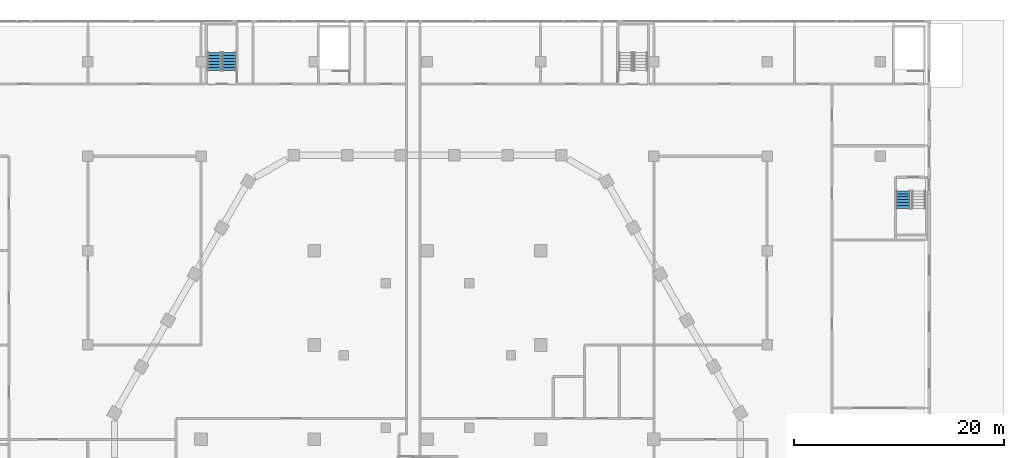
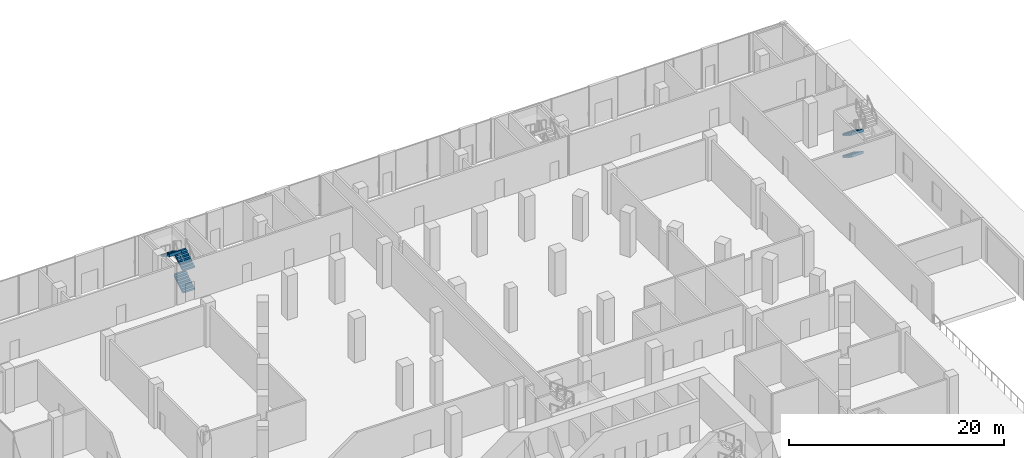
# One storey, part 45 of 57: 5 stair flights, 2 elements without a shape of their own.
"""IFC4 building model written with IfcOpenShell, lengths in metres."""

from ifc_helpers import new_model, si_unit, direction, frame, origin, place, context, subcontext, project, spatial, triangles, material, type_object, element, aggregate, save


model = new_model("IFC4")

# Units and contexts
model_context = context("Model", 3, precision=1e-05, world=origin(), true_north=direction((0.0, 1.0)))
body_context = subcontext(model_context, "Body", "Model", "MODEL_VIEW")
ifc_project = project(units=[si_unit("LENGTHUNIT", "METRE"), si_unit("AREAUNIT", "SQUARE_METRE"), si_unit("VOLUMEUNIT", "CUBIC_METRE"), si_unit("PLANEANGLEUNIT", "RADIAN"), si_unit("MASSUNIT", "GRAM", prefix="KILO")], contexts=[model_context])

# Site, building, storey
site_placement = place(None, origin())
site = spatial("IfcSite", under=ifc_project, at=site_placement, CompositionType="ELEMENT")
building_placement = place(site_placement, origin())
building = spatial("IfcBuilding", under=site, at=building_placement, Name="Beryl Residences", CompositionType="ELEMENT")
storey_placement = place(building_placement, origin())
storey = spatial("IfcBuildingStorey", under=building, at=storey_placement, Name="L00", CompositionType="ELEMENT", Elevation=0.0)

# Stair, stair flights
ifc_material_1 = material(Name="Concrete C40/50", Category="concrete")
stair_type = type_object("IfcStairType", Name="ST1 protected exit stair, half-turn, 1300 mm flights", PredefinedType="HALF_TURN_STAIR", material=ifc_material_1)
stair_1_placement = place(storey_placement, origin())
stair_1 = element("IfcStair", 1, at=stair_1_placement, inside=storey, type_object=stair_type, Name="L00 Podium exit stair 1", PredefinedType="HALF_TURN_STAIR")
ifc_material_2 = material(Name="Concrete C40/50", Category="concrete")
stair_flight_type = type_object("IfcStairFlightType", Name="SF1 stair flight 1300 mm", PredefinedType="STRAIGHT", material=ifc_material_2)
stair_flight_1_placement = place(storey_placement, frame((-18.89990234375, 35.199951171875, 0.0), z_axis=(0.0, 0.0, 1.0), x_axis=(0.0, 1.0, 0.0)))
stair_flight_1 = element("IfcStairFlight", 2, at=stair_flight_1_placement, type_object=stair_flight_type, Name="PS-1 flight 1", NumberOfRisers=7, NumberOfTreads=6, PredefinedType="STRAIGHT", RiserHeight=0.178571429, TreadLength=0.28, context=body_context, shape_type="Tessellation", body=[
    triangles([(0.0, -0.64990234375, 0.0), (0.0, -0.324951171875, 0.0), (0.0, 0.0, 0.0), (0.0, 0.324951171875, 0.0), (0.0, 0.64990234375, 0.0), (0.0, -0.64990234375, 0.178466796875), (0.0, -0.324951171875, 0.178466796875), (0.0, 0.0, 0.178466796875), (0.0, 0.324951171875, 0.178466796875), (0.0, 0.64990234375, 0.178466796875), (0.280029296875, -0.64990234375, 0.178466796875), (0.280029296875, -0.324951171875, 0.178466796875), (0.280029296875, 0.0, 0.178466796875), (0.280029296875, 0.324951171875, 0.178466796875), (0.280029296875, 0.64990234375, 0.178466796875), (0.280029296875, -0.64990234375, 0.357177734375), (0.280029296875, -0.324951171875, 0.357177734375), (0.280029296875, 0.0, 0.357177734375), (0.280029296875, 0.324951171875, 0.357177734375), (0.280029296875, 0.64990234375, 0.357177734375), (0.56005859375, -0.64990234375, 0.357177734375), (0.56005859375, -0.324951171875, 0.357177734375), (0.56005859375, 0.0, 0.357177734375), (0.56005859375, 0.324951171875, 0.357177734375), (0.56005859375, 0.64990234375, 0.357177734375), (0.56005859375, -0.64990234375, 0.53564453125), (0.56005859375, -0.324951171875, 0.53564453125), (0.56005859375, 0.0, 0.53564453125), (0.56005859375, 0.324951171875, 0.53564453125), (0.56005859375, 0.64990234375, 0.53564453125), (0.840087890625, -0.64990234375, 0.53564453125), (0.840087890625, -0.324951171875, 0.53564453125), (0.840087890625, 0.0, 0.53564453125), (0.840087890625, 0.324951171875, 0.53564453125), (0.840087890625, 0.64990234375, 0.53564453125), (0.840087890625, -0.64990234375, 0.71435546875), (0.840087890625, -0.324951171875, 0.71435546875), (0.840087890625, 0.0, 0.71435546875), (0.840087890625, 0.324951171875, 0.71435546875), (0.840087890625, 0.64990234375, 0.71435546875), (1.1201171875, -0.64990234375, 0.71435546875), (1.1201171875, -0.324951171875, 0.71435546875), (1.1201171875, 0.0, 0.71435546875), (1.1201171875, 0.324951171875, 0.71435546875), (1.1201171875, 0.64990234375, 0.71435546875), (1.1201171875, -0.64990234375, 0.892822265625), (1.1201171875, -0.324951171875, 0.892822265625), (1.1201171875, 0.0, 0.892822265625), (1.1201171875, 0.324951171875, 0.892822265625), (1.1201171875, 0.64990234375, 0.892822265625), (1.39990234375, -0.64990234375, 0.892822265625), (1.39990234375, -0.324951171875, 0.892822265625), (1.39990234375, 0.0, 0.892822265625), (1.39990234375, 0.324951171875, 0.892822265625), (1.39990234375, 0.64990234375, 0.892822265625), (1.39990234375, -0.64990234375, 1.071533203125), (1.39990234375, -0.324951171875, 1.071533203125), (1.39990234375, 0.0, 1.071533203125), (1.39990234375, 0.324951171875, 1.071533203125), (1.39990234375, 0.64990234375, 1.071533203125), (1.679931640625, -0.64990234375, 1.071533203125), (1.679931640625, -0.324951171875, 1.071533203125), (1.679931640625, 0.0, 1.071533203125), (1.679931640625, 0.324951171875, 1.071533203125), (1.679931640625, 0.64990234375, 1.071533203125), (1.679931640625, -0.64990234375, 1.25), (1.679931640625, -0.324951171875, 1.25), (1.679931640625, 0.0, 1.25), (1.679931640625, 0.324951171875, 1.25), (1.679931640625, 0.64990234375, 1.25), (1.680908203125, -0.64990234375, 1.25), (1.680908203125, -0.324951171875, 1.25), (1.680908203125, 0.0, 1.25), (1.680908203125, 0.324951171875, 1.25), (1.680908203125, 0.64990234375, 1.25), (1.680908203125, -0.64990234375, 0.928955078125), (1.680908203125, -0.324951171875, 0.928955078125), (1.680908203125, 0.0, 0.928955078125), (1.680908203125, 0.324951171875, 0.928955078125), (1.680908203125, 0.64990234375, 0.928955078125), (0.224365234375, -0.64990234375, 0.0), (0.224365234375, -0.324951171875, 0.0), (0.224365234375, 0.0, 0.0), (0.224365234375, 0.324951171875, 0.0), (0.224365234375, 0.64990234375, 0.0)], [[1, 6, 7], [1, 7, 2], [2, 7, 8], [2, 8, 3], [3, 8, 9], [3, 9, 4], [4, 9, 10], [4, 10, 5], [6, 11, 12], [6, 12, 7], [7, 12, 13], [7, 13, 8], [8, 13, 14], [8, 14, 9], [9, 14, 15], [9, 15, 10], [11, 16, 17], [11, 17, 12], [12, 17, 18], [12, 18, 13], [13, 18, 19], [13, 19, 14], [14, 19, 20], [14, 20, 15], [16, 21, 22], [16, 22, 17], [17, 22, 23], [17, 23, 18], [18, 23, 24], [18, 24, 19], [19, 24, 25], [19, 25, 20], [21, 26, 27], [21, 27, 22], [22, 27, 28], [22, 28, 23], [23, 28, 29], [23, 29, 24], [24, 29, 30], [24, 30, 25], [26, 31, 32], [26, 32, 27], [27, 32, 33], [27, 33, 28], [28, 33, 34], [28, 34, 29], [29, 34, 35], [29, 35, 30], [31, 36, 37], [31, 37, 32], [32, 37, 38], [32, 38, 33], [33, 38, 39], [33, 39, 34], [34, 39, 40], [34, 40, 35], [36, 41, 42], [36, 42, 37], [37, 42, 43], [37, 43, 38], [38, 43, 44], [38, 44, 39], [39, 44, 45], [39, 45, 40], [41, 46, 47], [41, 47, 42], [42, 47, 48], [42, 48, 43], [43, 48, 49], [43, 49, 44], [44, 49, 50], [44, 50, 45], [46, 51, 52], [46, 52, 47], [47, 52, 53], [47, 53, 48], [48, 53, 54], [48, 54, 49], [49, 54, 55], [49, 55, 50], [51, 56, 57], [51, 57, 52], [52, 57, 58], [52, 58, 53], [53, 58, 59], [53, 59, 54], [54, 59, 60], [54, 60, 55], [56, 61, 62], [56, 62, 57], [57, 62, 63], [57, 63, 58], [58, 63, 64], [58, 64, 59], [59, 64, 65], [59, 65, 60], [61, 66, 67], [61, 67, 62], [62, 67, 68], [62, 68, 63], [63, 68, 69], [63, 69, 64], [64, 69, 70], [64, 70, 65], [66, 71, 72], [66, 72, 67], [67, 72, 73], [67, 73, 68], [68, 73, 74], [68, 74, 69], [69, 74, 75], [69, 75, 70], [71, 76, 77], [71, 77, 72], [72, 77, 78], [72, 78, 73], [73, 78, 79], [73, 79, 74], [74, 79, 80], [74, 80, 75], [76, 81, 82], [76, 82, 77], [77, 82, 83], [77, 83, 78], [78, 83, 84], [78, 84, 79], [79, 84, 85], [79, 85, 80], [81, 1, 2], [81, 2, 82], [82, 2, 3], [82, 3, 83], [83, 3, 4], [83, 4, 84], [84, 4, 5], [84, 5, 85], [1, 81, 76], [5, 80, 85], [76, 71, 66], [80, 70, 75], [76, 66, 61], [80, 65, 70], [76, 61, 56], [80, 60, 65], [76, 56, 51], [80, 55, 60], [51, 46, 41], [55, 45, 50], [76, 51, 41], [80, 45, 55], [41, 36, 31], [45, 35, 40], [76, 41, 31], [80, 35, 45], [31, 26, 21], [35, 25, 30], [76, 31, 21], [80, 25, 35], [21, 16, 11], [25, 15, 20], [76, 21, 11], [80, 15, 25], [1, 76, 11], [5, 15, 80], [11, 6, 1], [15, 5, 10]], closed=True),
])
stair_flight_2_placement = place(storey_placement, frame((-18.89990234375, 35.199951171875, 2.5), z_axis=(0.0, 0.0, 1.0), x_axis=(0.0, 1.0, 0.0)))
stair_flight_2 = element("IfcStairFlight", 3, at=stair_flight_2_placement, type_object=stair_flight_type, Name="PS-1 flight 3", NumberOfRisers=7, NumberOfTreads=6, PredefinedType="STRAIGHT", RiserHeight=0.178571429, TreadLength=0.28, context=body_context, shape_type="Tessellation", body=[
    triangles([(0.0, -0.64990234375, 0.0), (0.0, -0.324951171875, 0.0), (0.0, 0.0, 0.0), (0.0, 0.324951171875, 0.0), (0.0, 0.64990234375, 0.0), (0.0, -0.64990234375, 0.178466796875), (0.0, -0.324951171875, 0.178466796875), (0.0, 0.0, 0.178466796875), (0.0, 0.324951171875, 0.178466796875), (0.0, 0.64990234375, 0.178466796875), (0.280029296875, -0.64990234375, 0.178466796875), (0.280029296875, -0.324951171875, 0.178466796875), (0.280029296875, 0.0, 0.178466796875), (0.280029296875, 0.324951171875, 0.178466796875), (0.280029296875, 0.64990234375, 0.178466796875), (0.280029296875, -0.64990234375, 0.357177734375), (0.280029296875, -0.324951171875, 0.357177734375), (0.280029296875, 0.0, 0.357177734375), (0.280029296875, 0.324951171875, 0.357177734375), (0.280029296875, 0.64990234375, 0.357177734375), (0.56005859375, -0.64990234375, 0.357177734375), (0.56005859375, -0.324951171875, 0.357177734375), (0.56005859375, 0.0, 0.357177734375), (0.56005859375, 0.324951171875, 0.357177734375), (0.56005859375, 0.64990234375, 0.357177734375), (0.56005859375, -0.64990234375, 0.53564453125), (0.56005859375, -0.324951171875, 0.53564453125), (0.56005859375, 0.0, 0.53564453125), (0.56005859375, 0.324951171875, 0.53564453125), (0.56005859375, 0.64990234375, 0.53564453125), (0.840087890625, -0.64990234375, 0.53564453125), (0.840087890625, -0.324951171875, 0.53564453125), (0.840087890625, 0.0, 0.53564453125), (0.840087890625, 0.324951171875, 0.53564453125), (0.840087890625, 0.64990234375, 0.53564453125), (0.840087890625, -0.64990234375, 0.71435546875), (0.840087890625, -0.324951171875, 0.71435546875), (0.840087890625, 0.0, 0.71435546875), (0.840087890625, 0.324951171875, 0.71435546875), (0.840087890625, 0.64990234375, 0.71435546875), (1.1201171875, -0.64990234375, 0.71435546875), (1.1201171875, -0.324951171875, 0.71435546875), (1.1201171875, 0.0, 0.71435546875), (1.1201171875, 0.324951171875, 0.71435546875), (1.1201171875, 0.64990234375, 0.71435546875), (1.1201171875, -0.64990234375, 0.892822265625), (1.1201171875, -0.324951171875, 0.892822265625), (1.1201171875, 0.0, 0.892822265625), (1.1201171875, 0.324951171875, 0.892822265625), (1.1201171875, 0.64990234375, 0.892822265625), (1.39990234375, -0.64990234375, 0.892822265625), (1.39990234375, -0.324951171875, 0.892822265625), (1.39990234375, 0.0, 0.892822265625), (1.39990234375, 0.324951171875, 0.892822265625), (1.39990234375, 0.64990234375, 0.892822265625), (1.39990234375, -0.64990234375, 1.071533203125), (1.39990234375, -0.324951171875, 1.071533203125), (1.39990234375, 0.0, 1.071533203125), (1.39990234375, 0.324951171875, 1.071533203125), (1.39990234375, 0.64990234375, 1.071533203125), (1.679931640625, -0.64990234375, 1.071533203125), (1.679931640625, -0.324951171875, 1.071533203125), (1.679931640625, 0.0, 1.071533203125), (1.679931640625, 0.324951171875, 1.071533203125), (1.679931640625, 0.64990234375, 1.071533203125), (1.679931640625, -0.64990234375, 1.25), (1.679931640625, -0.324951171875, 1.25), (1.679931640625, 0.0, 1.25), (1.679931640625, 0.324951171875, 1.25), (1.679931640625, 0.64990234375, 1.25), (1.680908203125, -0.64990234375, 1.25), (1.680908203125, -0.324951171875, 1.25), (1.680908203125, 0.0, 1.25), (1.680908203125, 0.324951171875, 1.25), (1.680908203125, 0.64990234375, 1.25), (1.680908203125, -0.64990234375, 0.928955078125), (1.680908203125, -0.324951171875, 0.928955078125), (1.680908203125, 0.0, 0.928955078125), (1.680908203125, 0.324951171875, 0.928955078125), (1.680908203125, 0.64990234375, 0.928955078125), (0.224365234375, -0.64990234375, 0.0), (0.224365234375, -0.324951171875, 0.0), (0.224365234375, 0.0, 0.0), (0.224365234375, 0.324951171875, 0.0), (0.224365234375, 0.64990234375, 0.0)], [[1, 6, 7], [1, 7, 2], [2, 7, 8], [2, 8, 3], [3, 8, 9], [3, 9, 4], [4, 9, 10], [4, 10, 5], [6, 11, 12], [6, 12, 7], [7, 12, 13], [7, 13, 8], [8, 13, 14], [8, 14, 9], [9, 14, 15], [9, 15, 10], [11, 16, 17], [11, 17, 12], [12, 17, 18], [12, 18, 13], [13, 18, 19], [13, 19, 14], [14, 19, 20], [14, 20, 15], [16, 21, 22], [16, 22, 17], [17, 22, 23], [17, 23, 18], [18, 23, 24], [18, 24, 19], [19, 24, 25], [19, 25, 20], [21, 26, 27], [21, 27, 22], [22, 27, 28], [22, 28, 23], [23, 28, 29], [23, 29, 24], [24, 29, 30], [24, 30, 25], [26, 31, 32], [26, 32, 27], [27, 32, 33], [27, 33, 28], [28, 33, 34], [28, 34, 29], [29, 34, 35], [29, 35, 30], [31, 36, 37], [31, 37, 32], [32, 37, 38], [32, 38, 33], [33, 38, 39], [33, 39, 34], [34, 39, 40], [34, 40, 35], [36, 41, 42], [36, 42, 37], [37, 42, 43], [37, 43, 38], [38, 43, 44], [38, 44, 39], [39, 44, 45], [39, 45, 40], [41, 46, 47], [41, 47, 42], [42, 47, 48], [42, 48, 43], [43, 48, 49], [43, 49, 44], [44, 49, 50], [44, 50, 45], [46, 51, 52], [46, 52, 47], [47, 52, 53], [47, 53, 48], [48, 53, 54], [48, 54, 49], [49, 54, 55], [49, 55, 50], [51, 56, 57], [51, 57, 52], [52, 57, 58], [52, 58, 53], [53, 58, 59], [53, 59, 54], [54, 59, 60], [54, 60, 55], [56, 61, 62], [56, 62, 57], [57, 62, 63], [57, 63, 58], [58, 63, 64], [58, 64, 59], [59, 64, 65], [59, 65, 60], [61, 66, 67], [61, 67, 62], [62, 67, 68], [62, 68, 63], [63, 68, 69], [63, 69, 64], [64, 69, 70], [64, 70, 65], [66, 71, 72], [66, 72, 67], [67, 72, 73], [67, 73, 68], [68, 73, 74], [68, 74, 69], [69, 74, 75], [69, 75, 70], [71, 76, 77], [71, 77, 72], [72, 77, 78], [72, 78, 73], [73, 78, 79], [73, 79, 74], [74, 79, 80], [74, 80, 75], [76, 81, 82], [76, 82, 77], [77, 82, 83], [77, 83, 78], [78, 83, 84], [78, 84, 79], [79, 84, 85], [79, 85, 80], [81, 1, 2], [81, 2, 82], [82, 2, 3], [82, 3, 83], [83, 3, 4], [83, 4, 84], [84, 4, 5], [84, 5, 85], [1, 81, 76], [5, 80, 85], [76, 71, 66], [80, 70, 75], [76, 66, 61], [80, 65, 70], [76, 61, 56], [80, 60, 65], [76, 56, 51], [80, 55, 60], [51, 46, 41], [55, 45, 50], [76, 51, 41], [80, 45, 55], [41, 36, 31], [45, 35, 40], [76, 41, 31], [80, 35, 45], [31, 26, 21], [35, 25, 30], [76, 31, 21], [80, 25, 35], [21, 16, 11], [25, 15, 20], [76, 21, 11], [80, 15, 25], [1, 76, 11], [5, 15, 80], [11, 6, 1], [15, 5, 10]], closed=True),
])
stair_flight_3_placement = place(storey_placement, frame((-20.35009765625, 36.8798828125, 3.75), z_axis=(0.0, 0.0, 1.0), x_axis=(0.0, -1.0, 0.0)))
stair_flight_3 = element("IfcStairFlight", 4, at=stair_flight_3_placement, type_object=stair_flight_type, Name="PS-1 flight 4", NumberOfRisers=7, NumberOfTreads=6, PredefinedType="STRAIGHT", RiserHeight=0.178571429, TreadLength=0.28, context=body_context, shape_type="Tessellation", body=[
    triangles([(0.0, -0.64990234375, 0.0), (0.0, -0.324951171875, 0.0), (0.0, 0.0, 0.0), (0.0, 0.324951171875, 0.0), (0.0, 0.64990234375, 0.0), (0.0, -0.64990234375, 0.178466796875), (0.0, -0.324951171875, 0.178466796875), (0.0, 0.0, 0.178466796875), (0.0, 0.324951171875, 0.178466796875), (0.0, 0.64990234375, 0.178466796875), (0.280029296875, -0.64990234375, 0.178466796875), (0.280029296875, -0.324951171875, 0.178466796875), (0.280029296875, 0.0, 0.178466796875), (0.280029296875, 0.324951171875, 0.178466796875), (0.280029296875, 0.64990234375, 0.178466796875), (0.280029296875, -0.64990234375, 0.357177734375), (0.280029296875, -0.324951171875, 0.357177734375), (0.280029296875, 0.0, 0.357177734375), (0.280029296875, 0.324951171875, 0.357177734375), (0.280029296875, 0.64990234375, 0.357177734375), (0.56005859375, -0.64990234375, 0.357177734375), (0.56005859375, -0.324951171875, 0.357177734375), (0.56005859375, 0.0, 0.357177734375), (0.56005859375, 0.324951171875, 0.357177734375), (0.56005859375, 0.64990234375, 0.357177734375), (0.56005859375, -0.64990234375, 0.53564453125), (0.56005859375, -0.324951171875, 0.53564453125), (0.56005859375, 0.0, 0.53564453125), (0.56005859375, 0.324951171875, 0.53564453125), (0.56005859375, 0.64990234375, 0.53564453125), (0.840087890625, -0.64990234375, 0.53564453125), (0.840087890625, -0.324951171875, 0.53564453125), (0.840087890625, 0.0, 0.53564453125), (0.840087890625, 0.324951171875, 0.53564453125), (0.840087890625, 0.64990234375, 0.53564453125), (0.840087890625, -0.64990234375, 0.71435546875), (0.840087890625, -0.324951171875, 0.71435546875), (0.840087890625, 0.0, 0.71435546875), (0.840087890625, 0.324951171875, 0.71435546875), (0.840087890625, 0.64990234375, 0.71435546875), (1.1201171875, -0.64990234375, 0.71435546875), (1.1201171875, -0.324951171875, 0.71435546875), (1.1201171875, 0.0, 0.71435546875), (1.1201171875, 0.324951171875, 0.71435546875), (1.1201171875, 0.64990234375, 0.71435546875), (1.1201171875, -0.64990234375, 0.892822265625), (1.1201171875, -0.324951171875, 0.892822265625), (1.1201171875, 0.0, 0.892822265625), (1.1201171875, 0.324951171875, 0.892822265625), (1.1201171875, 0.64990234375, 0.892822265625), (1.39990234375, -0.64990234375, 0.892822265625), (1.39990234375, -0.324951171875, 0.892822265625), (1.39990234375, 0.0, 0.892822265625), (1.39990234375, 0.324951171875, 0.892822265625), (1.39990234375, 0.64990234375, 0.892822265625), (1.39990234375, -0.64990234375, 1.071533203125), (1.39990234375, -0.324951171875, 1.071533203125), (1.39990234375, 0.0, 1.071533203125), (1.39990234375, 0.324951171875, 1.071533203125), (1.39990234375, 0.64990234375, 1.071533203125), (1.679931640625, -0.64990234375, 1.071533203125), (1.679931640625, -0.324951171875, 1.071533203125), (1.679931640625, 0.0, 1.071533203125), (1.679931640625, 0.324951171875, 1.071533203125), (1.679931640625, 0.64990234375, 1.071533203125), (1.679931640625, -0.64990234375, 1.25), (1.679931640625, -0.324951171875, 1.25), (1.679931640625, 0.0, 1.25), (1.679931640625, 0.324951171875, 1.25), (1.679931640625, 0.64990234375, 1.25), (1.680908203125, -0.64990234375, 1.25), (1.680908203125, -0.324951171875, 1.25), (1.680908203125, 0.0, 1.25), (1.680908203125, 0.324951171875, 1.25), (1.680908203125, 0.64990234375, 1.25), (1.680908203125, -0.64990234375, 0.928955078125), (1.680908203125, -0.324951171875, 0.928955078125), (1.680908203125, 0.0, 0.928955078125), (1.680908203125, 0.324951171875, 0.928955078125), (1.680908203125, 0.64990234375, 0.928955078125), (0.224365234375, -0.64990234375, 0.0), (0.224365234375, -0.324951171875, 0.0), (0.224365234375, 0.0, 0.0), (0.224365234375, 0.324951171875, 0.0), (0.224365234375, 0.64990234375, 0.0)], [[1, 6, 7], [1, 7, 2], [2, 7, 8], [2, 8, 3], [3, 8, 9], [3, 9, 4], [4, 9, 10], [4, 10, 5], [6, 11, 12], [6, 12, 7], [7, 12, 13], [7, 13, 8], [8, 13, 14], [8, 14, 9], [9, 14, 15], [9, 15, 10], [11, 16, 17], [11, 17, 12], [12, 17, 18], [12, 18, 13], [13, 18, 19], [13, 19, 14], [14, 19, 20], [14, 20, 15], [16, 21, 22], [16, 22, 17], [17, 22, 23], [17, 23, 18], [18, 23, 24], [18, 24, 19], [19, 24, 25], [19, 25, 20], [21, 26, 27], [21, 27, 22], [22, 27, 28], [22, 28, 23], [23, 28, 29], [23, 29, 24], [24, 29, 30], [24, 30, 25], [26, 31, 32], [26, 32, 27], [27, 32, 33], [27, 33, 28], [28, 33, 34], [28, 34, 29], [29, 34, 35], [29, 35, 30], [31, 36, 37], [31, 37, 32], [32, 37, 38], [32, 38, 33], [33, 38, 39], [33, 39, 34], [34, 39, 40], [34, 40, 35], [36, 41, 42], [36, 42, 37], [37, 42, 43], [37, 43, 38], [38, 43, 44], [38, 44, 39], [39, 44, 45], [39, 45, 40], [41, 46, 47], [41, 47, 42], [42, 47, 48], [42, 48, 43], [43, 48, 49], [43, 49, 44], [44, 49, 50], [44, 50, 45], [46, 51, 52], [46, 52, 47], [47, 52, 53], [47, 53, 48], [48, 53, 54], [48, 54, 49], [49, 54, 55], [49, 55, 50], [51, 56, 57], [51, 57, 52], [52, 57, 58], [52, 58, 53], [53, 58, 59], [53, 59, 54], [54, 59, 60], [54, 60, 55], [56, 61, 62], [56, 62, 57], [57, 62, 63], [57, 63, 58], [58, 63, 64], [58, 64, 59], [59, 64, 65], [59, 65, 60], [61, 66, 67], [61, 67, 62], [62, 67, 68], [62, 68, 63], [63, 68, 69], [63, 69, 64], [64, 69, 70], [64, 70, 65], [66, 71, 72], [66, 72, 67], [67, 72, 73], [67, 73, 68], [68, 73, 74], [68, 74, 69], [69, 74, 75], [69, 75, 70], [71, 76, 77], [71, 77, 72], [72, 77, 78], [72, 78, 73], [73, 78, 79], [73, 79, 74], [74, 79, 80], [74, 80, 75], [76, 81, 82], [76, 82, 77], [77, 82, 83], [77, 83, 78], [78, 83, 84], [78, 84, 79], [79, 84, 85], [79, 85, 80], [81, 1, 2], [81, 2, 82], [82, 2, 3], [82, 3, 83], [83, 3, 4], [83, 4, 84], [84, 4, 5], [84, 5, 85], [1, 81, 76], [5, 80, 85], [76, 71, 66], [80, 70, 75], [76, 66, 61], [80, 65, 70], [76, 61, 56], [80, 60, 65], [76, 56, 51], [80, 55, 60], [51, 46, 41], [55, 45, 50], [76, 51, 41], [80, 45, 55], [41, 36, 31], [45, 35, 40], [76, 41, 31], [80, 35, 45], [31, 26, 21], [35, 25, 30], [76, 31, 21], [80, 25, 35], [21, 16, 11], [25, 15, 20], [76, 21, 11], [80, 15, 25], [1, 76, 11], [5, 15, 80], [11, 6, 1], [15, 5, 10]], closed=True),
])
aggregate(stair_1, [stair_flight_1, stair_flight_2, stair_flight_3])

stair_2_placement = place(storey_placement, origin())
stair_2 = element("IfcStair", 5, at=stair_2_placement, inside=storey, type_object=stair_type, Name="L00 Podium exit stair 5", PredefinedType="HALF_TURN_STAIR")
stair_flight_4_placement = place(storey_placement, frame((45.39990234375, 23.699951171875, 0.0), z_axis=(0.0, 0.0, 1.0), x_axis=(0.0, -1.0, 0.0)))
stair_flight_4 = element("IfcStairFlight", 6, at=stair_flight_4_placement, type_object=stair_flight_type, Name="PS-5 flight 1", NumberOfRisers=7, NumberOfTreads=6, PredefinedType="STRAIGHT", RiserHeight=0.178571429, TreadLength=0.28, context=body_context, shape_type="Tessellation", body=[
    triangles([(0.0, -0.64990234375, 0.0), (0.0, -0.324951171875, 0.0), (0.0, 0.0, 0.0), (0.0, 0.324951171875, 0.0), (0.0, 0.64990234375, 0.0), (0.0, -0.64990234375, 0.178466796875), (0.0, -0.324951171875, 0.178466796875), (0.0, 0.0, 0.178466796875), (0.0, 0.324951171875, 0.178466796875), (0.0, 0.64990234375, 0.178466796875), (0.280029296875, -0.64990234375, 0.178466796875), (0.280029296875, -0.324951171875, 0.178466796875), (0.280029296875, 0.0, 0.178466796875), (0.280029296875, 0.324951171875, 0.178466796875), (0.280029296875, 0.64990234375, 0.178466796875), (0.280029296875, -0.64990234375, 0.357177734375), (0.280029296875, -0.324951171875, 0.357177734375), (0.280029296875, 0.0, 0.357177734375), (0.280029296875, 0.324951171875, 0.357177734375), (0.280029296875, 0.64990234375, 0.357177734375), (0.56005859375, -0.64990234375, 0.357177734375), (0.56005859375, -0.324951171875, 0.357177734375), (0.56005859375, 0.0, 0.357177734375), (0.56005859375, 0.324951171875, 0.357177734375), (0.56005859375, 0.64990234375, 0.357177734375), (0.56005859375, -0.64990234375, 0.53564453125), (0.56005859375, -0.324951171875, 0.53564453125), (0.56005859375, 0.0, 0.53564453125), (0.56005859375, 0.324951171875, 0.53564453125), (0.56005859375, 0.64990234375, 0.53564453125), (0.840087890625, -0.64990234375, 0.53564453125), (0.840087890625, -0.324951171875, 0.53564453125), (0.840087890625, 0.0, 0.53564453125), (0.840087890625, 0.324951171875, 0.53564453125), (0.840087890625, 0.64990234375, 0.53564453125), (0.840087890625, -0.64990234375, 0.71435546875), (0.840087890625, -0.324951171875, 0.71435546875), (0.840087890625, 0.0, 0.71435546875), (0.840087890625, 0.324951171875, 0.71435546875), (0.840087890625, 0.64990234375, 0.71435546875), (1.1201171875, -0.64990234375, 0.71435546875), (1.1201171875, -0.324951171875, 0.71435546875), (1.1201171875, 0.0, 0.71435546875), (1.1201171875, 0.324951171875, 0.71435546875), (1.1201171875, 0.64990234375, 0.71435546875), (1.1201171875, -0.64990234375, 0.892822265625), (1.1201171875, -0.324951171875, 0.892822265625), (1.1201171875, 0.0, 0.892822265625), (1.1201171875, 0.324951171875, 0.892822265625), (1.1201171875, 0.64990234375, 0.892822265625), (1.39990234375, -0.64990234375, 0.892822265625), (1.39990234375, -0.324951171875, 0.892822265625), (1.39990234375, 0.0, 0.892822265625), (1.39990234375, 0.324951171875, 0.892822265625), (1.39990234375, 0.64990234375, 0.892822265625), (1.39990234375, -0.64990234375, 1.071533203125), (1.39990234375, -0.324951171875, 1.071533203125), (1.39990234375, 0.0, 1.071533203125), (1.39990234375, 0.324951171875, 1.071533203125), (1.39990234375, 0.64990234375, 1.071533203125), (1.679931640625, -0.64990234375, 1.071533203125), (1.679931640625, -0.324951171875, 1.071533203125), (1.679931640625, 0.0, 1.071533203125), (1.679931640625, 0.324951171875, 1.071533203125), (1.679931640625, 0.64990234375, 1.071533203125), (1.679931640625, -0.64990234375, 1.25), (1.679931640625, -0.324951171875, 1.25), (1.679931640625, 0.0, 1.25), (1.679931640625, 0.324951171875, 1.25), (1.679931640625, 0.64990234375, 1.25), (1.680908203125, -0.64990234375, 1.25), (1.680908203125, -0.324951171875, 1.25), (1.680908203125, 0.0, 1.25), (1.680908203125, 0.324951171875, 1.25), (1.680908203125, 0.64990234375, 1.25), (1.680908203125, -0.64990234375, 0.928955078125), (1.680908203125, -0.324951171875, 0.928955078125), (1.680908203125, 0.0, 0.928955078125), (1.680908203125, 0.324951171875, 0.928955078125), (1.680908203125, 0.64990234375, 0.928955078125), (0.224365234375, -0.64990234375, 0.0), (0.224365234375, -0.324951171875, 0.0), (0.224365234375, 0.0, 0.0), (0.224365234375, 0.324951171875, 0.0), (0.224365234375, 0.64990234375, 0.0)], [[1, 6, 7], [1, 7, 2], [2, 7, 8], [2, 8, 3], [3, 8, 9], [3, 9, 4], [4, 9, 10], [4, 10, 5], [6, 11, 12], [6, 12, 7], [7, 12, 13], [7, 13, 8], [8, 13, 14], [8, 14, 9], [9, 14, 15], [9, 15, 10], [11, 16, 17], [11, 17, 12], [12, 17, 18], [12, 18, 13], [13, 18, 19], [13, 19, 14], [14, 19, 20], [14, 20, 15], [16, 21, 22], [16, 22, 17], [17, 22, 23], [17, 23, 18], [18, 23, 24], [18, 24, 19], [19, 24, 25], [19, 25, 20], [21, 26, 27], [21, 27, 22], [22, 27, 28], [22, 28, 23], [23, 28, 29], [23, 29, 24], [24, 29, 30], [24, 30, 25], [26, 31, 32], [26, 32, 27], [27, 32, 33], [27, 33, 28], [28, 33, 34], [28, 34, 29], [29, 34, 35], [29, 35, 30], [31, 36, 37], [31, 37, 32], [32, 37, 38], [32, 38, 33], [33, 38, 39], [33, 39, 34], [34, 39, 40], [34, 40, 35], [36, 41, 42], [36, 42, 37], [37, 42, 43], [37, 43, 38], [38, 43, 44], [38, 44, 39], [39, 44, 45], [39, 45, 40], [41, 46, 47], [41, 47, 42], [42, 47, 48], [42, 48, 43], [43, 48, 49], [43, 49, 44], [44, 49, 50], [44, 50, 45], [46, 51, 52], [46, 52, 47], [47, 52, 53], [47, 53, 48], [48, 53, 54], [48, 54, 49], [49, 54, 55], [49, 55, 50], [51, 56, 57], [51, 57, 52], [52, 57, 58], [52, 58, 53], [53, 58, 59], [53, 59, 54], [54, 59, 60], [54, 60, 55], [56, 61, 62], [56, 62, 57], [57, 62, 63], [57, 63, 58], [58, 63, 64], [58, 64, 59], [59, 64, 65], [59, 65, 60], [61, 66, 67], [61, 67, 62], [62, 67, 68], [62, 68, 63], [63, 68, 69], [63, 69, 64], [64, 69, 70], [64, 70, 65], [66, 71, 72], [66, 72, 67], [67, 72, 73], [67, 73, 68], [68, 73, 74], [68, 74, 69], [69, 74, 75], [69, 75, 70], [71, 76, 77], [71, 77, 72], [72, 77, 78], [72, 78, 73], [73, 78, 79], [73, 79, 74], [74, 79, 80], [74, 80, 75], [76, 81, 82], [76, 82, 77], [77, 82, 83], [77, 83, 78], [78, 83, 84], [78, 84, 79], [79, 84, 85], [79, 85, 80], [81, 1, 2], [81, 2, 82], [82, 2, 3], [82, 3, 83], [83, 3, 4], [83, 4, 84], [84, 4, 5], [84, 5, 85], [1, 81, 76], [5, 80, 85], [76, 71, 66], [80, 70, 75], [76, 66, 61], [80, 65, 70], [76, 61, 56], [80, 60, 65], [76, 56, 51], [80, 55, 60], [51, 46, 41], [55, 45, 50], [76, 51, 41], [80, 45, 55], [41, 36, 31], [45, 35, 40], [76, 41, 31], [80, 35, 45], [31, 26, 21], [35, 25, 30], [76, 31, 21], [80, 25, 35], [21, 16, 11], [25, 15, 20], [76, 21, 11], [80, 15, 25], [1, 76, 11], [5, 15, 80], [11, 6, 1], [15, 5, 10]], closed=True),
])
stair_flight_5_placement = place(storey_placement, frame((45.39990234375, 23.699951171875, 2.5), z_axis=(0.0, 0.0, 1.0), x_axis=(0.0, -1.0, 0.0)))
stair_flight_5 = element("IfcStairFlight", 7, at=stair_flight_5_placement, type_object=stair_flight_type, Name="PS-5 flight 3", NumberOfRisers=7, NumberOfTreads=6, PredefinedType="STRAIGHT", RiserHeight=0.178571429, TreadLength=0.28, context=body_context, shape_type="Tessellation", body=[
    triangles([(0.0, -0.64990234375, 0.0), (0.0, -0.324951171875, 0.0), (0.0, 0.0, 0.0), (0.0, 0.324951171875, 0.0), (0.0, 0.64990234375, 0.0), (0.0, -0.64990234375, 0.178466796875), (0.0, -0.324951171875, 0.178466796875), (0.0, 0.0, 0.178466796875), (0.0, 0.324951171875, 0.178466796875), (0.0, 0.64990234375, 0.178466796875), (0.280029296875, -0.64990234375, 0.178466796875), (0.280029296875, -0.324951171875, 0.178466796875), (0.280029296875, 0.0, 0.178466796875), (0.280029296875, 0.324951171875, 0.178466796875), (0.280029296875, 0.64990234375, 0.178466796875), (0.280029296875, -0.64990234375, 0.357177734375), (0.280029296875, -0.324951171875, 0.357177734375), (0.280029296875, 0.0, 0.357177734375), (0.280029296875, 0.324951171875, 0.357177734375), (0.280029296875, 0.64990234375, 0.357177734375), (0.56005859375, -0.64990234375, 0.357177734375), (0.56005859375, -0.324951171875, 0.357177734375), (0.56005859375, 0.0, 0.357177734375), (0.56005859375, 0.324951171875, 0.357177734375), (0.56005859375, 0.64990234375, 0.357177734375), (0.56005859375, -0.64990234375, 0.53564453125), (0.56005859375, -0.324951171875, 0.53564453125), (0.56005859375, 0.0, 0.53564453125), (0.56005859375, 0.324951171875, 0.53564453125), (0.56005859375, 0.64990234375, 0.53564453125), (0.840087890625, -0.64990234375, 0.53564453125), (0.840087890625, -0.324951171875, 0.53564453125), (0.840087890625, 0.0, 0.53564453125), (0.840087890625, 0.324951171875, 0.53564453125), (0.840087890625, 0.64990234375, 0.53564453125), (0.840087890625, -0.64990234375, 0.71435546875), (0.840087890625, -0.324951171875, 0.71435546875), (0.840087890625, 0.0, 0.71435546875), (0.840087890625, 0.324951171875, 0.71435546875), (0.840087890625, 0.64990234375, 0.71435546875), (1.1201171875, -0.64990234375, 0.71435546875), (1.1201171875, -0.324951171875, 0.71435546875), (1.1201171875, 0.0, 0.71435546875), (1.1201171875, 0.324951171875, 0.71435546875), (1.1201171875, 0.64990234375, 0.71435546875), (1.1201171875, -0.64990234375, 0.892822265625), (1.1201171875, -0.324951171875, 0.892822265625), (1.1201171875, 0.0, 0.892822265625), (1.1201171875, 0.324951171875, 0.892822265625), (1.1201171875, 0.64990234375, 0.892822265625), (1.39990234375, -0.64990234375, 0.892822265625), (1.39990234375, -0.324951171875, 0.892822265625), (1.39990234375, 0.0, 0.892822265625), (1.39990234375, 0.324951171875, 0.892822265625), (1.39990234375, 0.64990234375, 0.892822265625), (1.39990234375, -0.64990234375, 1.071533203125), (1.39990234375, -0.324951171875, 1.071533203125), (1.39990234375, 0.0, 1.071533203125), (1.39990234375, 0.324951171875, 1.071533203125), (1.39990234375, 0.64990234375, 1.071533203125), (1.679931640625, -0.64990234375, 1.071533203125), (1.679931640625, -0.324951171875, 1.071533203125), (1.679931640625, 0.0, 1.071533203125), (1.679931640625, 0.324951171875, 1.071533203125), (1.679931640625, 0.64990234375, 1.071533203125), (1.679931640625, -0.64990234375, 1.25), (1.679931640625, -0.324951171875, 1.25), (1.679931640625, 0.0, 1.25), (1.679931640625, 0.324951171875, 1.25), (1.679931640625, 0.64990234375, 1.25), (1.680908203125, -0.64990234375, 1.25), (1.680908203125, -0.324951171875, 1.25), (1.680908203125, 0.0, 1.25), (1.680908203125, 0.324951171875, 1.25), (1.680908203125, 0.64990234375, 1.25), (1.680908203125, -0.64990234375, 0.928955078125), (1.680908203125, -0.324951171875, 0.928955078125), (1.680908203125, 0.0, 0.928955078125), (1.680908203125, 0.324951171875, 0.928955078125), (1.680908203125, 0.64990234375, 0.928955078125), (0.224365234375, -0.64990234375, 0.0), (0.224365234375, -0.324951171875, 0.0), (0.224365234375, 0.0, 0.0), (0.224365234375, 0.324951171875, 0.0), (0.224365234375, 0.64990234375, 0.0)], [[1, 6, 7], [1, 7, 2], [2, 7, 8], [2, 8, 3], [3, 8, 9], [3, 9, 4], [4, 9, 10], [4, 10, 5], [6, 11, 12], [6, 12, 7], [7, 12, 13], [7, 13, 8], [8, 13, 14], [8, 14, 9], [9, 14, 15], [9, 15, 10], [11, 16, 17], [11, 17, 12], [12, 17, 18], [12, 18, 13], [13, 18, 19], [13, 19, 14], [14, 19, 20], [14, 20, 15], [16, 21, 22], [16, 22, 17], [17, 22, 23], [17, 23, 18], [18, 23, 24], [18, 24, 19], [19, 24, 25], [19, 25, 20], [21, 26, 27], [21, 27, 22], [22, 27, 28], [22, 28, 23], [23, 28, 29], [23, 29, 24], [24, 29, 30], [24, 30, 25], [26, 31, 32], [26, 32, 27], [27, 32, 33], [27, 33, 28], [28, 33, 34], [28, 34, 29], [29, 34, 35], [29, 35, 30], [31, 36, 37], [31, 37, 32], [32, 37, 38], [32, 38, 33], [33, 38, 39], [33, 39, 34], [34, 39, 40], [34, 40, 35], [36, 41, 42], [36, 42, 37], [37, 42, 43], [37, 43, 38], [38, 43, 44], [38, 44, 39], [39, 44, 45], [39, 45, 40], [41, 46, 47], [41, 47, 42], [42, 47, 48], [42, 48, 43], [43, 48, 49], [43, 49, 44], [44, 49, 50], [44, 50, 45], [46, 51, 52], [46, 52, 47], [47, 52, 53], [47, 53, 48], [48, 53, 54], [48, 54, 49], [49, 54, 55], [49, 55, 50], [51, 56, 57], [51, 57, 52], [52, 57, 58], [52, 58, 53], [53, 58, 59], [53, 59, 54], [54, 59, 60], [54, 60, 55], [56, 61, 62], [56, 62, 57], [57, 62, 63], [57, 63, 58], [58, 63, 64], [58, 64, 59], [59, 64, 65], [59, 65, 60], [61, 66, 67], [61, 67, 62], [62, 67, 68], [62, 68, 63], [63, 68, 69], [63, 69, 64], [64, 69, 70], [64, 70, 65], [66, 71, 72], [66, 72, 67], [67, 72, 73], [67, 73, 68], [68, 73, 74], [68, 74, 69], [69, 74, 75], [69, 75, 70], [71, 76, 77], [71, 77, 72], [72, 77, 78], [72, 78, 73], [73, 78, 79], [73, 79, 74], [74, 79, 80], [74, 80, 75], [76, 81, 82], [76, 82, 77], [77, 82, 83], [77, 83, 78], [78, 83, 84], [78, 84, 79], [79, 84, 85], [79, 85, 80], [81, 1, 2], [81, 2, 82], [82, 2, 3], [82, 3, 83], [83, 3, 4], [83, 4, 84], [84, 4, 5], [84, 5, 85], [1, 81, 76], [5, 80, 85], [76, 71, 66], [80, 70, 75], [76, 66, 61], [80, 65, 70], [76, 61, 56], [80, 60, 65], [76, 56, 51], [80, 55, 60], [51, 46, 41], [55, 45, 50], [76, 51, 41], [80, 45, 55], [41, 36, 31], [45, 35, 40], [76, 41, 31], [80, 35, 45], [31, 26, 21], [35, 25, 30], [76, 31, 21], [80, 25, 35], [21, 16, 11], [25, 15, 20], [76, 21, 11], [80, 15, 25], [1, 76, 11], [5, 15, 80], [11, 6, 1], [15, 5, 10]], closed=True),
])
aggregate(stair_2, [stair_flight_4, stair_flight_5])

save(model, "model.ifc")
